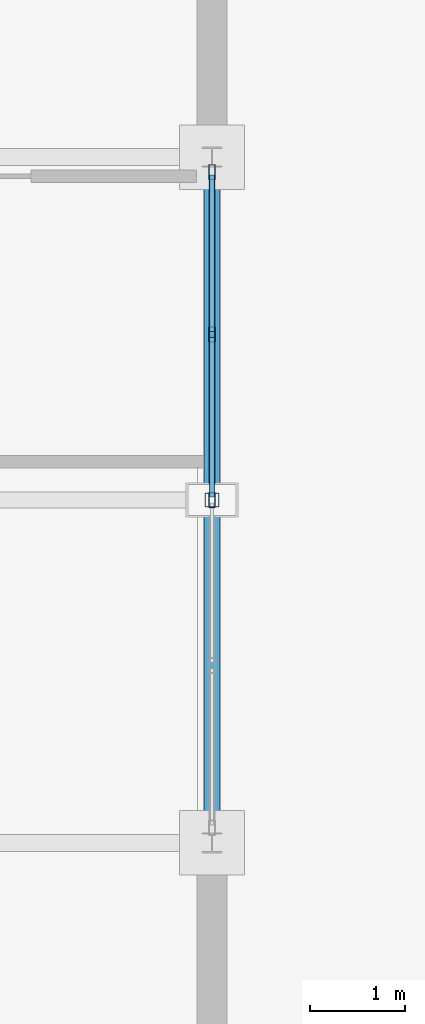
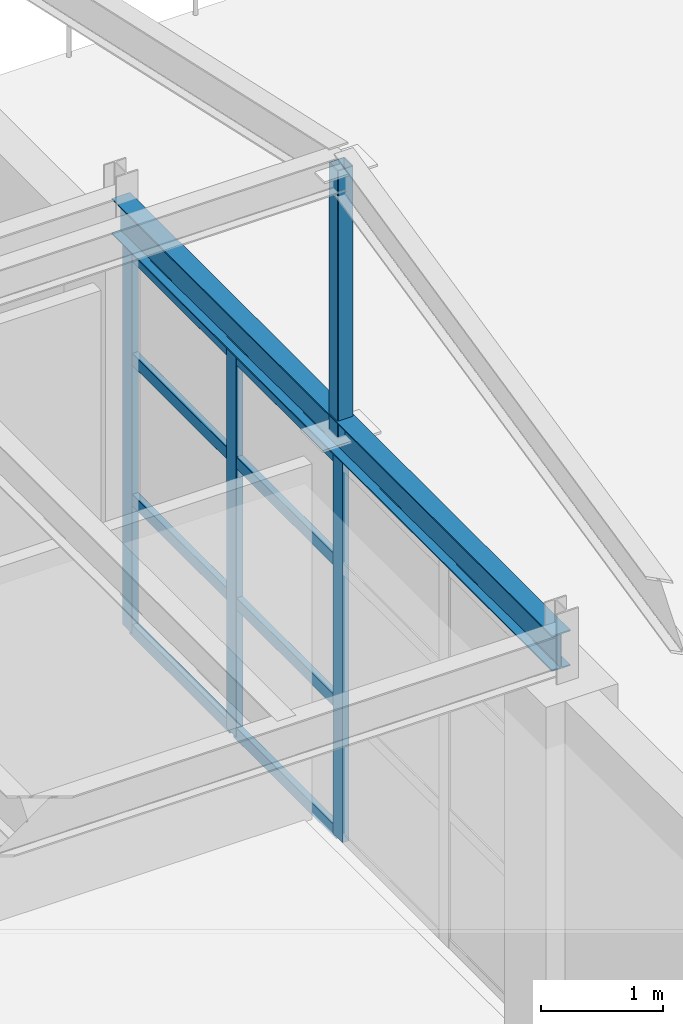
# One storey, part 79 of 101: 12 members, 1 beam, 1 element without a shape of its own.
"""IFC4 building model written with IfcOpenShell, lengths in metres."""

from ifc_helpers import new_model, si_unit, direction, frame, origin, origin_2d, place, context, subcontext, project, spatial, hollow_rectangle, i_section, extrude, material, layer, layer_set, material_profile, profile_set, type_object, element, aggregate, save


model = new_model("IFC4")

# Units and contexts
model_context = context("Model", 3, precision=1e-05, world=origin(), true_north=direction((0.0, 1.0)))
body_context = subcontext(model_context, "Body", "Model", "MODEL_VIEW")
ifc_project = project(units=[si_unit("LENGTHUNIT", "METRE"), si_unit("AREAUNIT", "SQUARE_METRE"), si_unit("VOLUMEUNIT", "CUBIC_METRE"), si_unit("PLANEANGLEUNIT", "RADIAN"), si_unit("MASSUNIT", "GRAM", prefix="KILO")], contexts=[model_context])

# Site, building, storey
site_placement = place(None, origin())
site = spatial("IfcSite", under=ifc_project, at=site_placement, CompositionType="ELEMENT")
building_placement = place(site_placement, origin())
building = spatial("IfcBuilding", under=site, at=building_placement, Name="Kemerveld Promenade Tramway Depot", CompositionType="ELEMENT")
storey_placement = place(building_placement, frame((0.0, 0.0, 9.89990234375)))
storey = spatial("IfcBuildingStorey", under=building, at=storey_placement, Name="L02", CompositionType="ELEMENT", Elevation=9.89990234375)

# Beam
ifc_material_1 = material(Name="Steel S355", Category="steel")
ifc_material_profile_1 = material_profile(ifc_material_1, i_section(OverallWidth=0.172119140625, OverallDepth=0.35791015625, WebThickness=0.008056640625, FlangeThickness=0.012939453125, FilletRadius=0.01025390625, at=origin_2d()), Name="356x171x57 UB")
ifc_profile_set_1 = profile_set([ifc_material_profile_1], Name="Steel S355")
beam_type = type_object("IfcBeamType", Name="BM-G08", PredefinedType="BEAM", material=ifc_profile_set_1)
beam_placement = place(storey_placement, frame((129.60009765625, 14.39990234375, 4.041015625), z_axis=(0.0, 1.0, 0.0), x_axis=(-1.0, 0.0, 0.0)))
element("IfcBeam", 1, at=beam_placement, inside=storey, type_object=beam_type, Name="BMY-L02-19-C-D", PredefinedType="BEAM", context=body_context, shape_type="SweptSolid", body=[
    extrude(i_section(OverallWidth=0.172119140625, OverallDepth=0.35791015625, WebThickness=0.008056640625, FlangeThickness=0.012939453125, FilletRadius=0.01025390625, at=origin_2d()), origin(), (0.0, 0.0, 1.0), 7.2001953125),
])

# Curtain wall, members
ifc_material_2 = material(Name="Bronze anodised aluminium and solar glass", Category="aluminium")
ifc_layer = layer(ifc_material_2, 0.159912109375)
ifc_layer_set = layer_set([ifc_layer], Name="CW-SYS-05")
curtain_wall_type = type_object("IfcCurtainWallType", Name="CW-SYS-05", PredefinedType="USERDEFINED", material=ifc_layer_set)
curtain_wall_placement = place(storey_placement, origin())
curtain_wall = element("IfcCurtainWall", 2, at=curtain_wall_placement, inside=storey, type_object=curtain_wall_type, Name="CW-L02-V4E-02", ObjectType="GLAZED_CURTAIN_WALL", PredefinedType="USERDEFINED")
ifc_material_3 = material(Name="Bronze anodised aluminium", Category="aluminium")
ifc_material_profile_2 = material_profile(ifc_material_3, hollow_rectangle(XDim=0.06494140625, YDim=0.159912109375, WallThickness=0.00390625, InnerFilletRadius=0.001953125, OuterFilletRadius=0.00390625, at=origin_2d()), Name="CW-MUL-160x65")
ifc_profile_set_2 = profile_set([ifc_material_profile_2], Name="Bronze anodised aluminium")
member_type_1 = type_object("IfcMemberType", Name="CW-MUL-A", PredefinedType="MULLION", material=ifc_profile_set_2)
member_1_placement = place(storey_placement, frame((129.60009765625, 21.442626953125, 0.0), z_axis=(0.0, 0.0, 1.0), x_axis=(1.0, 0.0, 0.0)))
member_1 = element("IfcMember", 3, at=member_1_placement, type_object=member_type_1, Name="CW05 mullion 1", PredefinedType="MULLION", context=body_context, shape_type="SweptSolid", body=[
    extrude(hollow_rectangle(XDim=0.06494140625, YDim=0.159912109375, WallThickness=0.00390625, InnerFilletRadius=0.001953125, OuterFilletRadius=0.00390625, at=origin_2d()), origin(), (0.0, 0.0, 1.0), 3.800048828125),
])
member_2_placement = place(storey_placement, frame((129.60009765625, 19.737548828125, 0.0), z_axis=(0.0, 0.0, 1.0), x_axis=(1.0, 0.0, 0.0)))
member_2 = element("IfcMember", 4, at=member_2_placement, type_object=member_type_1, Name="CW05 mullion 2", PredefinedType="MULLION", context=body_context, shape_type="SweptSolid", body=[
    extrude(hollow_rectangle(XDim=0.06494140625, YDim=0.159912109375, WallThickness=0.00390625, InnerFilletRadius=0.001953125, OuterFilletRadius=0.00390625, at=origin_2d()), origin(), (0.0, 0.0, 1.0), 3.800048828125),
])
member_3_placement = place(storey_placement, frame((129.60009765625, 18.0, 0.0), z_axis=(0.0, 0.0, 1.0), x_axis=(1.0, 0.0, 0.0)))
member_3 = element("IfcMember", 5, at=member_3_placement, type_object=member_type_1, Name="CW05 mullion 3", PredefinedType="MULLION", context=body_context, shape_type="SweptSolid", body=[
    extrude(hollow_rectangle(XDim=0.06494140625, YDim=0.159912109375, WallThickness=0.00390625, InnerFilletRadius=0.001953125, OuterFilletRadius=0.00390625, at=origin_2d()), origin(), (0.0, 0.0, 1.0), 3.800048828125),
])
ifc_material_profile_3 = material_profile(ifc_material_3, hollow_rectangle(XDim=0.06005859375, YDim=0.1201171875, WallThickness=0.00390625, InnerFilletRadius=0.001953125, OuterFilletRadius=0.00390625, at=origin_2d()), Name="CW-TRN-120x60")
ifc_profile_set_3 = profile_set([ifc_material_profile_3], Name="Bronze anodised aluminium")
member_type_2 = type_object("IfcMemberType", Name="CW-TRN-A", PredefinedType="USERDEFINED", material=ifc_profile_set_3)
member_4_placement = place(storey_placement, frame((129.60009765625, 21.41015625, 0.030029296875), z_axis=(0.0, -1.0, 0.0), x_axis=(1.0, 0.0, 0.0)))
member_4 = element("IfcMember", 6, at=member_4_placement, type_object=member_type_2, Name="CW05 transom 1.1", ObjectType="TRANSOM", PredefinedType="USERDEFINED", context=body_context, shape_type="SweptSolid", body=[
    extrude(hollow_rectangle(XDim=0.06005859375, YDim=0.1201171875, WallThickness=0.00390625, InnerFilletRadius=0.001953125, OuterFilletRadius=0.00390625, at=origin_2d()), origin(), (0.0, 0.0, 1.0), 1.64013671875),
])
member_5_placement = place(storey_placement, frame((129.60009765625, 21.41015625, 1.330078125), z_axis=(0.0, -1.0, 0.0), x_axis=(1.0, 0.0, 0.0)))
member_5 = element("IfcMember", 7, at=member_5_placement, type_object=member_type_2, Name="CW05 transom 1.2", ObjectType="TRANSOM", PredefinedType="USERDEFINED", context=body_context, shape_type="SweptSolid", body=[
    extrude(hollow_rectangle(XDim=0.06005859375, YDim=0.1201171875, WallThickness=0.00390625, InnerFilletRadius=0.001953125, OuterFilletRadius=0.00390625, at=origin_2d()), origin(), (0.0, 0.0, 1.0), 1.64013671875),
])
member_6_placement = place(storey_placement, frame((129.60009765625, 21.41015625, 2.736083984375), z_axis=(0.0, -1.0, 0.0), x_axis=(1.0, 0.0, 0.0)))
member_6 = element("IfcMember", 8, at=member_6_placement, type_object=member_type_2, Name="CW05 transom 1.3", ObjectType="TRANSOM", PredefinedType="USERDEFINED", context=body_context, shape_type="SweptSolid", body=[
    extrude(hollow_rectangle(XDim=0.06005859375, YDim=0.1201171875, WallThickness=0.00390625, InnerFilletRadius=0.001953125, OuterFilletRadius=0.00390625, at=origin_2d()), origin(), (0.0, 0.0, 1.0), 1.64013671875),
])
member_7_placement = place(storey_placement, frame((129.60009765625, 21.41015625, 3.77001953125), z_axis=(0.0, -1.0, 0.0), x_axis=(1.0, 0.0, 0.0)))
member_7 = element("IfcMember", 9, at=member_7_placement, type_object=member_type_2, Name="CW05 transom 1.4", ObjectType="TRANSOM", PredefinedType="USERDEFINED", context=body_context, shape_type="SweptSolid", body=[
    extrude(hollow_rectangle(XDim=0.06005859375, YDim=0.1201171875, WallThickness=0.00390625, InnerFilletRadius=0.001953125, OuterFilletRadius=0.00390625, at=origin_2d()), origin(), (0.0, 0.0, 1.0), 1.64013671875),
])
member_8_placement = place(storey_placement, frame((129.60009765625, 19.705078125, 0.030029296875), z_axis=(0.0, -1.0, 0.0), x_axis=(1.0, 0.0, 0.0)))
member_8 = element("IfcMember", 10, at=member_8_placement, type_object=member_type_2, Name="CW05 transom 2.1", ObjectType="TRANSOM", PredefinedType="USERDEFINED", context=body_context, shape_type="SweptSolid", body=[
    extrude(hollow_rectangle(XDim=0.06005859375, YDim=0.1201171875, WallThickness=0.00390625, InnerFilletRadius=0.001953125, OuterFilletRadius=0.00390625, at=origin_2d()), origin(), (0.0, 0.0, 1.0), 1.672607421875),
])
member_9_placement = place(storey_placement, frame((129.60009765625, 19.705078125, 1.330078125), z_axis=(0.0, -1.0, 0.0), x_axis=(1.0, 0.0, 0.0)))
member_9 = element("IfcMember", 11, at=member_9_placement, type_object=member_type_2, Name="CW05 transom 2.2", ObjectType="TRANSOM", PredefinedType="USERDEFINED", context=body_context, shape_type="SweptSolid", body=[
    extrude(hollow_rectangle(XDim=0.06005859375, YDim=0.1201171875, WallThickness=0.00390625, InnerFilletRadius=0.001953125, OuterFilletRadius=0.00390625, at=origin_2d()), origin(), (0.0, 0.0, 1.0), 1.672607421875),
])
member_10_placement = place(storey_placement, frame((129.60009765625, 19.705078125, 2.736083984375), z_axis=(0.0, -1.0, 0.0), x_axis=(1.0, 0.0, 0.0)))
member_10 = element("IfcMember", 12, at=member_10_placement, type_object=member_type_2, Name="CW05 transom 2.3", ObjectType="TRANSOM", PredefinedType="USERDEFINED", context=body_context, shape_type="SweptSolid", body=[
    extrude(hollow_rectangle(XDim=0.06005859375, YDim=0.1201171875, WallThickness=0.00390625, InnerFilletRadius=0.001953125, OuterFilletRadius=0.00390625, at=origin_2d()), origin(), (0.0, 0.0, 1.0), 1.672607421875),
])
member_11_placement = place(storey_placement, frame((129.60009765625, 19.705078125, 3.77001953125), z_axis=(0.0, -1.0, 0.0), x_axis=(1.0, 0.0, 0.0)))
member_11 = element("IfcMember", 13, at=member_11_placement, type_object=member_type_2, Name="CW05 transom 2.4", ObjectType="TRANSOM", PredefinedType="USERDEFINED", context=body_context, shape_type="SweptSolid", body=[
    extrude(hollow_rectangle(XDim=0.06005859375, YDim=0.1201171875, WallThickness=0.00390625, InnerFilletRadius=0.001953125, OuterFilletRadius=0.00390625, at=origin_2d()), origin(), (0.0, 0.0, 1.0), 1.672607421875),
])
aggregate(curtain_wall, [member_1, member_2, member_3, member_4, member_5, member_6, member_7, member_8, member_9, member_10, member_11])

# Member
ifc_material_profile_4 = material_profile(ifc_material_1, hollow_rectangle(XDim=0.14990234375, YDim=0.14990234375, WallThickness=0.008056640625, InnerFilletRadius=0.00390625, OuterFilletRadius=0.011962890625, at=origin_2d()), Name="150x150x8.0 SHS")
ifc_profile_set_4 = profile_set([ifc_material_profile_4], Name="Steel S355")
member_type_3 = type_object("IfcMemberType", Name="MB-TP2", PredefinedType="POST", material=ifc_profile_set_4)
member_12_placement = place(storey_placement, frame((129.60009765625, 18.0, 4.050048828125), z_axis=(0.0, 0.0, 1.0), x_axis=(1.0, 0.0, 0.0)))
element("IfcMember", 14, at=member_12_placement, inside=storey, type_object=member_type_3, Name="POST-RDG-V4-19", PredefinedType="POST", context=body_context, shape_type="SweptSolid", body=[
    extrude(hollow_rectangle(XDim=0.14990234375, YDim=0.14990234375, WallThickness=0.008056640625, InnerFilletRadius=0.00390625, OuterFilletRadius=0.011962890625, at=origin_2d()), origin(), (0.0, 0.0, 1.0), 2.665283203125),
])

save(model, "model.ifc")
